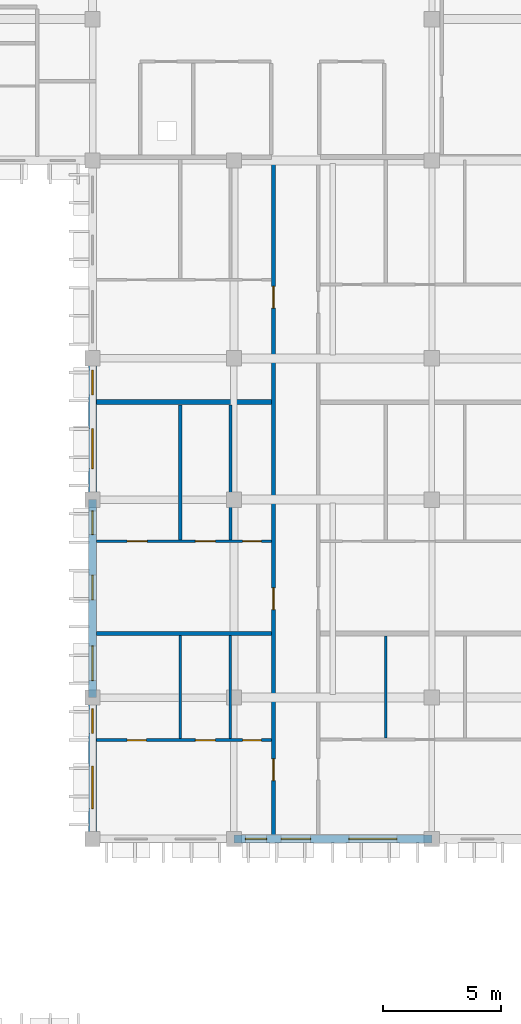
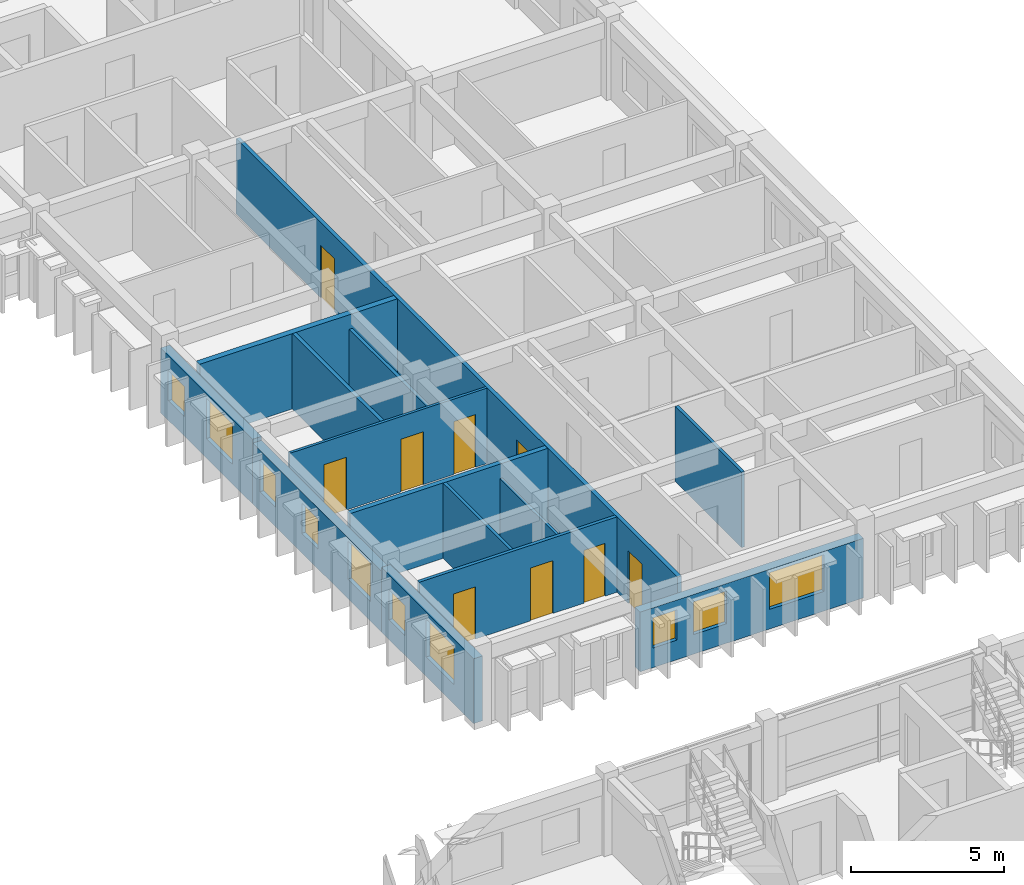
# One storey, part 35 of 70: 14 walls, 10 windows, 9 doors, 19 openings.
"""IFC4 building model written with IfcOpenShell, lengths in metres."""

from ifc_helpers import new_model, si_unit, direction, frame, frame_2d, origin, place, context, subcontext, project, spatial, rectangle, extrude, material, layer, layer_set, type_object, element, fill, save


model = new_model("IFC4")

# Units and contexts
model_context = context("Model", 3, precision=1e-05, world=origin(), true_north=direction((0.0, 1.0)))
body_context = subcontext(model_context, "Body", "Model", "MODEL_VIEW")
ifc_project = project(units=[si_unit("LENGTHUNIT", "METRE"), si_unit("AREAUNIT", "SQUARE_METRE"), si_unit("VOLUMEUNIT", "CUBIC_METRE"), si_unit("PLANEANGLEUNIT", "RADIAN"), si_unit("MASSUNIT", "GRAM", prefix="KILO"), si_unit("THERMODYNAMICTEMPERATUREUNIT", "KELVIN")], contexts=[model_context])

# Site, building, storey
site_placement = place(None, origin())
site = spatial("IfcSite", under=ifc_project, at=site_placement, CompositionType="ELEMENT")
building_placement = place(site_placement, origin())
building = spatial("IfcBuilding", under=site, at=building_placement, Name="Thalorik Housing Commons", CompositionType="ELEMENT")
storey_placement = place(building_placement, frame((0.0, 0.0, 14.699951171875)))
storey = spatial("IfcBuildingStorey", under=building, at=storey_placement, Name="L04", CompositionType="ELEMENT", Elevation=14.699951171875)

# Wall, openings, doors
ifc_material_1 = material(Name="Masonry fire-rated corridor wall", Category="masonry")
ifc_layer_1 = layer(ifc_material_1, 0.14990234375, Name="Masonry fire-rated corridor wall", Category="masonry")
ifc_layer_set_1 = layer_set([ifc_layer_1], Name="Masonry fire-rated corridor wall")
wall_type_1 = type_object("IfcWallType", Name="ARC-WAL-CORR-150", PredefinedType="PARTITIONING", material=ifc_layer_set_1)
wall_1_placement = place(storey_placement, frame((160.080078125, 80.569580078125, 0.0), z_axis=(0.0, 0.0, 1.0), x_axis=(0.0, 1.0, 0.0)))
wall_1 = element("IfcWall", 1, at=wall_1_placement, inside=storey, type_object=wall_type_1, Name="L04 Block B E Corridor Wall 1", PredefinedType="PARTITIONING", context=body_context, shape_type="SweptSolid", body=[
    extrude(rectangle(XDim=28.7705078125, YDim=0.14990234375, at=frame_2d((14.38525390625, 0.0))), origin(), (0.0, 0.0, 1.0), 3.0),
])
opening_1_placement = place(wall_1_placement, frame((2.309814453125, 0.0, 0.0)))
opening_1 = element("IfcOpeningElement", 2, at=opening_1_placement, cuts=wall_1, Name="Opening ID-1166", PredefinedType="OPENING", context=body_context, shape_type="SweptSolid", body=[
    extrude(rectangle(XDim=0.919921875, YDim=2.10009765625, at=frame_2d((0.4599609375, 1.050048828125))), frame((0.0, 0.0849609375, 0.0), z_axis=(0.0, -1.0, 0.0), x_axis=(1.0, 0.0, 0.0)), (0.0, 0.0, 1.0), 0.169921875),
])
opening_2_placement = place(wall_1_placement, frame((9.566162109375, 0.0, 0.0)))
opening_2 = element("IfcOpeningElement", 3, at=opening_2_placement, cuts=wall_1, Name="Opening ID-1167", PredefinedType="OPENING", context=body_context, shape_type="SweptSolid", body=[
    extrude(rectangle(XDim=0.919921875, YDim=2.10009765625, at=frame_2d((0.4599609375, 1.050048828125))), frame((0.0, 0.0849609375, 0.0), z_axis=(0.0, -1.0, 0.0), x_axis=(1.0, 0.0, 0.0)), (0.0, 0.0, 1.0), 0.169921875),
])
opening_3_placement = place(wall_1_placement, frame((22.360595703125, 0.0, 0.0)))
opening_3 = element("IfcOpeningElement", 4, at=opening_3_placement, cuts=wall_1, Name="Opening ID-1168", PredefinedType="OPENING", context=body_context, shape_type="SweptSolid", body=[
    extrude(rectangle(XDim=0.919921875, YDim=2.10009765625, at=frame_2d((0.4599609375, 1.050048828125))), frame((0.0, 0.0849609375, 0.0), z_axis=(0.0, -1.0, 0.0), x_axis=(1.0, 0.0, 0.0)), (0.0, 0.0, 1.0), 0.169921875),
])
ifc_material_2 = material(Name="Solid core hardwood timber", Category="wood")
door_type_1 = type_object("IfcDoorType", Name="ARC-DR-FD30-920", OperationType="NOTDEFINED", PredefinedType="DOOR", material=ifc_material_2)
door_1_placement = place(opening_1_placement, origin())
door_1 = element("IfcDoor", 5, at=door_1_placement, inside=storey, type_object=door_type_1, Name="L04 Flat BE-1A Entrance Door", OperationType="SINGLE_SWING_LEFT", OverallHeight=2.10009765625, OverallWidth=0.919921875, PredefinedType="DOOR", context=body_context, shape_type="SweptSolid", body=[
    extrude(rectangle(XDim=0.919921875, YDim=2.10009765625, at=frame_2d((0.4599609375, 1.050048828125))), frame((0.0, 0.02490234375, 0.0), z_axis=(0.0, -1.0, 0.0), x_axis=(1.0, 0.0, 0.0)), (0.0, 0.0, 1.0), 0.050048828125),
])
fill(opening_1, door_1)
door_2_placement = place(opening_2_placement, origin())
door_2 = element("IfcDoor", 6, at=door_2_placement, inside=storey, type_object=door_type_1, Name="L04 Flat BE-2A Entrance Door", OperationType="SINGLE_SWING_RIGHT", OverallHeight=2.10009765625, OverallWidth=0.919921875, PredefinedType="DOOR", context=body_context, shape_type="SweptSolid", body=[
    extrude(rectangle(XDim=0.919921875, YDim=2.10009765625, at=frame_2d((0.4599609375, 1.050048828125))), frame((0.0, 0.02490234375, 0.0), z_axis=(0.0, -1.0, 0.0), x_axis=(1.0, 0.0, 0.0)), (0.0, 0.0, 1.0), 0.050048828125),
])
fill(opening_2, door_2)
door_3_placement = place(opening_3_placement, origin())
door_3 = element("IfcDoor", 7, at=door_3_placement, inside=storey, type_object=door_type_1, Name="L04 Flat BE-3A Entrance Door", OperationType="SINGLE_SWING_LEFT", OverallHeight=2.10009765625, OverallWidth=0.919921875, PredefinedType="DOOR", context=body_context, shape_type="SweptSolid", body=[
    extrude(rectangle(XDim=0.919921875, YDim=2.10009765625, at=frame_2d((0.4599609375, 1.050048828125))), frame((0.0, 0.02490234375, 0.0), z_axis=(0.0, -1.0, 0.0), x_axis=(1.0, 0.0, 0.0)), (0.0, 0.0, 1.0), 0.050048828125),
])
fill(opening_3, door_3)

# Wall, openings, windows
ifc_material_3 = material(Name="White precast concrete C40/50", Category="concrete")
ifc_layer_2 = layer(ifc_material_3, 0.3349609375, Name="White precast concrete C40/50", Category="concrete")
ifc_layer_set_2 = layer_set([ifc_layer_2], Name="White precast concrete C40/50")
wall_type_2 = type_object("IfcWallType", Name="ARC-WAL-EXT-335", PredefinedType="STANDARD", material=ifc_layer_set_2)
wall_2_placement = place(storey_placement, frame((152.39990234375, 100.800048828125, 0.0), z_axis=(0.0, 0.0, 1.0), x_axis=(0.0, -1.0, 0.0)))
wall_2 = element("IfcWall", 8, at=wall_2_placement, inside=storey, type_object=wall_type_2, Name="L04 Exterior Wall WAL-EXT-L04-B-0549", PredefinedType="STANDARD", context=body_context, shape_type="SweptSolid", body=[
    extrude(rectangle(XDim=6.0, YDim=0.3349609375, at=frame_2d((3.0, 0.0))), origin(), (0.0, 0.0, 1.0), 2.574951171875),
])
opening_4_placement = place(wall_2_placement, frame((0.5, 0.0, 0.780029296875)))
opening_4 = element("IfcOpeningElement", 9, at=opening_4_placement, cuts=wall_2, Name="Opening W-44", PredefinedType="OPENING", context=body_context, shape_type="SweptSolid", body=[
    extrude(rectangle(XDim=1.050048828125, YDim=1.199951171875, at=frame_2d((0.52490234375, 0.60009765625))), frame((0.0, 0.177490234375, 0.0), z_axis=(0.0, -1.0, 0.0), x_axis=(1.0, 0.0, 0.0)), (0.0, 0.0, 1.0), 0.35498046875),
])
opening_5_placement = place(wall_2_placement, frame((2.985107421875, 0.0, 0.780029296875)))
opening_5 = element("IfcOpeningElement", 10, at=opening_5_placement, cuts=wall_2, Name="Opening W-16", PredefinedType="OPENING", context=body_context, shape_type="SweptSolid", body=[
    extrude(rectangle(XDim=1.699951171875, YDim=1.60009765625, at=frame_2d((0.85009765625, 0.800048828125))), frame((0.0, 0.177490234375, 0.0), z_axis=(0.0, -1.0, 0.0), x_axis=(1.0, 0.0, 0.0)), (0.0, 0.0, 1.0), 0.35498046875),
])
ifc_material_4 = material(Name="Anodised aluminium and solar-control low-E glass", Category="aluminium")
window_type_1 = type_object("IfcWindowType", Name="ARC-WIN-16", PartitioningType="DOUBLE_PANEL_VERTICAL", PredefinedType="WINDOW", material=ifc_material_4)
window_1_placement = place(opening_5_placement, origin())
window_1 = element("IfcWindow", 11, at=window_1_placement, inside=storey, type_object=window_type_1, Name="L04 Facade Window 995", OverallHeight=1.60009765625, OverallWidth=1.699951171875, PartitioningType="DOUBLE_PANEL_VERTICAL", PredefinedType="WINDOW", context=body_context, shape_type="SweptSolid", body=[
    extrude(rectangle(XDim=1.699951171875, YDim=1.60009765625, at=frame_2d((0.85009765625, 0.800048828125))), frame((0.0, 0.030029296875, 0.0), z_axis=(0.0, -1.0, 0.0), x_axis=(1.0, 0.0, 0.0)), (0.0, 0.0, 1.0), 0.06005859375),
])
fill(opening_5, window_1)
window_type_2 = type_object("IfcWindowType", Name="ARC-WIN-44", PartitioningType="SINGLE_PANEL", PredefinedType="WINDOW", material=ifc_material_4)
window_2_placement = place(opening_4_placement, origin())
window_2 = element("IfcWindow", 12, at=window_2_placement, inside=storey, type_object=window_type_2, Name="L04 Facade Window 994", OverallHeight=1.199951171875, OverallWidth=1.050048828125, PartitioningType="SINGLE_PANEL", PredefinedType="WINDOW", context=body_context, shape_type="SweptSolid", body=[
    extrude(rectangle(XDim=1.050048828125, YDim=1.199951171875, at=frame_2d((0.52490234375, 0.60009765625))), frame((0.0, 0.030029296875, 0.0), z_axis=(0.0, -1.0, 0.0), x_axis=(1.0, 0.0, 0.0)), (0.0, 0.0, 1.0), 0.06005859375),
])
fill(opening_4, window_2)

wall_3_placement = place(storey_placement, frame((152.39990234375, 94.800048828125, 0.0), z_axis=(0.0, 0.0, 1.0), x_axis=(0.0, -1.0, 0.0)))
wall_3 = element("IfcWall", 13, at=wall_3_placement, inside=storey, type_object=wall_type_2, Name="L04 Exterior Wall WAL-EXT-L04-B-0550", PredefinedType="STANDARD", context=body_context, shape_type="SweptSolid", body=[
    extrude(rectangle(XDim=8.400146484375, YDim=0.3349609375, at=frame_2d((4.2001953125, 0.0))), origin(), (0.0, 0.0, 1.0), 2.425048828125),
])
opening_6_placement = place(wall_3_placement, frame((0.47998046875, 0.0, 0.780029296875)))
opening_6 = element("IfcOpeningElement", 14, at=opening_6_placement, cuts=wall_3, Name="Opening W-02", PredefinedType="OPENING", context=body_context, shape_type="SweptSolid", body=[
    extrude(rectangle(XDim=1.0, YDim=1.25, at=frame_2d((0.5, 0.625))), frame((0.0, 0.177490234375, 0.0), z_axis=(0.0, -1.0, 0.0), x_axis=(1.0, 0.0, 0.0)), (0.0, 0.0, 1.0), 0.35498046875),
])
opening_7_placement = place(wall_3_placement, frame((3.199951171875, 0.0, 0.780029296875)))
opening_7 = element("IfcOpeningElement", 15, at=opening_7_placement, cuts=wall_3, Name="Opening W-44", PredefinedType="OPENING", context=body_context, shape_type="SweptSolid", body=[
    extrude(rectangle(XDim=1.050048828125, YDim=1.199951171875, at=frame_2d((0.52490234375, 0.60009765625))), frame((0.0, 0.177490234375, 0.0), z_axis=(0.0, -1.0, 0.0), x_axis=(1.0, 0.0, 0.0)), (0.0, 0.0, 1.0), 0.35498046875),
])
opening_8_placement = place(wall_3_placement, frame((6.205078125, 0.0, 0.780029296875)))
opening_8 = element("IfcOpeningElement", 16, at=opening_8_placement, cuts=wall_3, Name="Opening W-51", PredefinedType="OPENING", context=body_context, shape_type="SweptSolid", body=[
    extrude(rectangle(XDim=1.47998046875, YDim=1.52001953125, at=frame_2d((0.739990234375, 0.760009765625))), frame((0.0, 0.177490234375, 0.0), z_axis=(0.0, -1.0, 0.0), x_axis=(1.0, 0.0, 0.0)), (0.0, 0.0, 1.0), 0.35498046875),
])
window_type_3 = type_object("IfcWindowType", Name="ARC-WIN-02", PartitioningType="SINGLE_PANEL", PredefinedType="WINDOW", material=ifc_material_4)
window_3_placement = place(opening_6_placement, origin())
window_3 = element("IfcWindow", 17, at=window_3_placement, inside=storey, type_object=window_type_3, Name="L04 Facade Window 996", OverallHeight=1.25, OverallWidth=1.0, PartitioningType="SINGLE_PANEL", PredefinedType="WINDOW", context=body_context, shape_type="SweptSolid", body=[
    extrude(rectangle(XDim=1.0, YDim=1.25, at=frame_2d((0.5, 0.625))), frame((0.0, 0.030029296875, 0.0), z_axis=(0.0, -1.0, 0.0), x_axis=(1.0, 0.0, 0.0)), (0.0, 0.0, 1.0), 0.06005859375),
])
fill(opening_6, window_3)
window_4_placement = place(opening_7_placement, origin())
window_4 = element("IfcWindow", 18, at=window_4_placement, inside=storey, type_object=window_type_2, Name="L04 Facade Window 997", OverallHeight=1.199951171875, OverallWidth=1.050048828125, PartitioningType="SINGLE_PANEL", PredefinedType="WINDOW", context=body_context, shape_type="SweptSolid", body=[
    extrude(rectangle(XDim=1.050048828125, YDim=1.199951171875, at=frame_2d((0.52490234375, 0.60009765625))), frame((0.0, 0.030029296875, 0.0), z_axis=(0.0, -1.0, 0.0), x_axis=(1.0, 0.0, 0.0)), (0.0, 0.0, 1.0), 0.06005859375),
])
fill(opening_7, window_4)
window_type_4 = type_object("IfcWindowType", Name="ARC-WIN-51", PartitioningType="SINGLE_PANEL", PredefinedType="WINDOW", material=ifc_material_4)
window_5_placement = place(opening_8_placement, origin())
window_5 = element("IfcWindow", 19, at=window_5_placement, inside=storey, type_object=window_type_4, Name="L04 Facade Window 998", OverallHeight=1.52001953125, OverallWidth=1.47998046875, PartitioningType="SINGLE_PANEL", PredefinedType="WINDOW", context=body_context, shape_type="SweptSolid", body=[
    extrude(rectangle(XDim=1.47998046875, YDim=1.52001953125, at=frame_2d((0.739990234375, 0.760009765625))), frame((0.0, 0.030029296875, 0.0), z_axis=(0.0, -1.0, 0.0), x_axis=(1.0, 0.0, 0.0)), (0.0, 0.0, 1.0), 0.06005859375),
])
fill(opening_8, window_5)

wall_4_placement = place(storey_placement, frame((152.39990234375, 86.39990234375, 0.0), z_axis=(0.0, 0.0, 1.0), x_axis=(0.0, -1.0, 0.0)))
wall_4 = element("IfcWall", 20, at=wall_4_placement, inside=storey, type_object=wall_type_2, Name="L04 Exterior Wall WAL-EXT-L04-B-0551", PredefinedType="STANDARD", context=body_context, shape_type="SweptSolid", body=[
    extrude(rectangle(XDim=6.0, YDim=0.3349609375, at=frame_2d((3.0, 0.0))), origin(), (0.0, 0.0, 1.0), 2.574951171875),
])
opening_9_placement = place(wall_4_placement, frame((0.47509765625, 0.0, 0.780029296875)))
opening_9 = element("IfcOpeningElement", 21, at=opening_9_placement, cuts=wall_4, Name="Opening W-44", PredefinedType="OPENING", context=body_context, shape_type="SweptSolid", body=[
    extrude(rectangle(XDim=1.050048828125, YDim=1.199951171875, at=frame_2d((0.52490234375, 0.60009765625))), frame((0.0, 0.177490234375, 0.0), z_axis=(0.0, -1.0, 0.0), x_axis=(1.0, 0.0, 0.0)), (0.0, 0.0, 1.0), 0.35498046875),
])
opening_10_placement = place(wall_4_placement, frame((2.909912109375, 0.0, 0.780029296875)))
opening_10 = element("IfcOpeningElement", 22, at=opening_10_placement, cuts=wall_4, Name="Opening W-18", PredefinedType="OPENING", context=body_context, shape_type="SweptSolid", body=[
    extrude(rectangle(XDim=1.800048828125, YDim=1.5, at=frame_2d((0.89990234375, 0.75))), frame((0.0, 0.177490234375, 0.0), z_axis=(0.0, -1.0, 0.0), x_axis=(1.0, 0.0, 0.0)), (0.0, 0.0, 1.0), 0.35498046875),
])
window_type_5 = type_object("IfcWindowType", Name="ARC-WIN-18", PartitioningType="DOUBLE_PANEL_VERTICAL", PredefinedType="WINDOW", material=ifc_material_4)
window_6_placement = place(opening_10_placement, origin())
window_6 = element("IfcWindow", 23, at=window_6_placement, inside=storey, type_object=window_type_5, Name="L04 Facade Window 1000", OverallHeight=1.5, OverallWidth=1.800048828125, PartitioningType="DOUBLE_PANEL_VERTICAL", PredefinedType="WINDOW", context=body_context, shape_type="SweptSolid", body=[
    extrude(rectangle(XDim=1.800048828125, YDim=1.5, at=frame_2d((0.89990234375, 0.75))), frame((0.0, 0.030029296875, 0.0), z_axis=(0.0, -1.0, 0.0), x_axis=(1.0, 0.0, 0.0)), (0.0, 0.0, 1.0), 0.06005859375),
])
fill(opening_10, window_6)
window_7_placement = place(opening_9_placement, origin())
window_7 = element("IfcWindow", 24, at=window_7_placement, inside=storey, type_object=window_type_2, Name="L04 Facade Window 999", OverallHeight=1.199951171875, OverallWidth=1.050048828125, PartitioningType="SINGLE_PANEL", PredefinedType="WINDOW", context=body_context, shape_type="SweptSolid", body=[
    extrude(rectangle(XDim=1.050048828125, YDim=1.199951171875, at=frame_2d((0.52490234375, 0.60009765625))), frame((0.0, 0.030029296875, 0.0), z_axis=(0.0, -1.0, 0.0), x_axis=(1.0, 0.0, 0.0)), (0.0, 0.0, 1.0), 0.06005859375),
])
fill(opening_9, window_7)

wall_5_placement = place(storey_placement, frame((158.39990234375, 80.39990234375, 0.0), z_axis=(0.0, 0.0, 1.0), x_axis=(1.0, 0.0, 0.0)))
wall_5 = element("IfcWall", 25, at=wall_5_placement, inside=storey, type_object=wall_type_2, Name="L04 Exterior Wall WAL-EXT-L04-B-0553", PredefinedType="STANDARD", context=body_context, shape_type="SweptSolid", body=[
    extrude(rectangle(XDim=8.400146484375, YDim=0.3349609375, at=frame_2d((4.2001953125, 0.0))), origin(), (0.0, 0.0, 1.0), 2.375),
])
opening_11_placement = place(wall_5_placement, frame((0.485107421875, 0.0, 0.780029296875)))
opening_11 = element("IfcOpeningElement", 26, at=opening_11_placement, cuts=wall_5, Name="Opening W-01", PredefinedType="OPENING", context=body_context, shape_type="SweptSolid", body=[
    extrude(rectangle(XDim=0.89990234375, YDim=1.199951171875, at=frame_2d((0.449951171875, 0.60009765625))), frame((0.0, 0.177490234375, 0.0), z_axis=(0.0, -1.0, 0.0), x_axis=(1.0, 0.0, 0.0)), (0.0, 0.0, 1.0), 0.35498046875),
])
opening_12_placement = place(wall_5_placement, frame((2.0048828125, 0.0, 0.780029296875)))
opening_12 = element("IfcOpeningElement", 27, at=opening_12_placement, cuts=wall_5, Name="Opening W-46", PredefinedType="OPENING", context=body_context, shape_type="SweptSolid", body=[
    extrude(rectangle(XDim=1.25, YDim=1.300048828125, at=frame_2d((0.625, 0.64990234375))), frame((0.0, 0.177490234375, 0.0), z_axis=(0.0, -1.0, 0.0), x_axis=(1.0, 0.0, 0.0)), (0.0, 0.0, 1.0), 0.35498046875),
])
opening_13_placement = place(wall_5_placement, frame((4.875, 0.0, 0.780029296875)))
opening_13 = element("IfcOpeningElement", 28, at=opening_13_placement, cuts=wall_5, Name="Opening W-62", PredefinedType="OPENING", context=body_context, shape_type="SweptSolid", body=[
    extrude(rectangle(XDim=2.0400390625, YDim=1.4599609375, at=frame_2d((1.02001953125, 0.72998046875))), frame((0.0, 0.177490234375, 0.0), z_axis=(0.0, -1.0, 0.0), x_axis=(1.0, 0.0, 0.0)), (0.0, 0.0, 1.0), 0.35498046875),
])
window_type_6 = type_object("IfcWindowType", Name="ARC-WIN-01", PartitioningType="SINGLE_PANEL", PredefinedType="WINDOW", material=ifc_material_4)
window_8_placement = place(opening_11_placement, origin())
window_8 = element("IfcWindow", 29, at=window_8_placement, inside=storey, type_object=window_type_6, Name="L04 Facade Window 1003", OverallHeight=1.199951171875, OverallWidth=0.89990234375, PartitioningType="SINGLE_PANEL", PredefinedType="WINDOW", context=body_context, shape_type="SweptSolid", body=[
    extrude(rectangle(XDim=0.89990234375, YDim=1.199951171875, at=frame_2d((0.449951171875, 0.60009765625))), frame((0.0, 0.030029296875, 0.0), z_axis=(0.0, -1.0, 0.0), x_axis=(1.0, 0.0, 0.0)), (0.0, 0.0, 1.0), 0.06005859375),
])
fill(opening_11, window_8)
window_type_7 = type_object("IfcWindowType", Name="ARC-WIN-46", PartitioningType="SINGLE_PANEL", PredefinedType="WINDOW", material=ifc_material_4)
window_9_placement = place(opening_12_placement, origin())
window_9 = element("IfcWindow", 30, at=window_9_placement, inside=storey, type_object=window_type_7, Name="L04 Facade Window 1004", OverallHeight=1.300048828125, OverallWidth=1.25, PartitioningType="SINGLE_PANEL", PredefinedType="WINDOW", context=body_context, shape_type="SweptSolid", body=[
    extrude(rectangle(XDim=1.25, YDim=1.300048828125, at=frame_2d((0.625, 0.64990234375))), frame((0.0, 0.030029296875, 0.0), z_axis=(0.0, -1.0, 0.0), x_axis=(1.0, 0.0, 0.0)), (0.0, 0.0, 1.0), 0.06005859375),
])
fill(opening_12, window_9)
window_type_8 = type_object("IfcWindowType", Name="ARC-WIN-62", PartitioningType="DOUBLE_PANEL_VERTICAL", PredefinedType="WINDOW", material=ifc_material_4)
window_10_placement = place(opening_13_placement, origin())
window_10 = element("IfcWindow", 31, at=window_10_placement, inside=storey, type_object=window_type_8, Name="L04 Facade Window 1005", OverallHeight=1.4599609375, OverallWidth=2.0400390625, PartitioningType="DOUBLE_PANEL_VERTICAL", PredefinedType="WINDOW", context=body_context, shape_type="SweptSolid", body=[
    extrude(rectangle(XDim=2.0400390625, YDim=1.4599609375, at=frame_2d((1.02001953125, 0.72998046875))), frame((0.0, 0.030029296875, 0.0), z_axis=(0.0, -1.0, 0.0), x_axis=(1.0, 0.0, 0.0)), (0.0, 0.0, 1.0), 0.06005859375),
])
fill(opening_13, window_10)

# Wall
ifc_material_5 = material(Name="Gypsum light stud partition", Category="masonry")
ifc_layer_3 = layer(ifc_material_5, 0.10009765625, Name="Gypsum light stud partition", Category="masonry")
ifc_layer_set_3 = layer_set([ifc_layer_3], Name="Gypsum light stud partition")
wall_type_3 = type_object("IfcWallType", Name="ARC-WAL-PART-100", PredefinedType="PARTITIONING", material=ifc_layer_set_3)
wall_6_placement = place(storey_placement, frame((158.251220703125, 84.654541015625, 0.0), z_axis=(0.0, 0.0, 1.0), x_axis=(0.0, 1.0, 0.0)))
element("IfcWall", 32, at=wall_6_placement, inside=storey, type_object=wall_type_3, Name="L04 Unit 1 Wet Wall", PredefinedType="PARTITIONING", context=body_context, shape_type="SweptSolid", body=[
    extrude(rectangle(XDim=4.370849609375, YDim=0.10009765625, at=frame_2d((2.185546875, 0.0))), origin(), (0.0, 0.0, 1.0), 2.425048828125),
])

# Wall, openings, doors
wall_7_placement = place(storey_placement, frame((152.569580078125, 93.030029296875, 0.0), z_axis=(0.0, 0.0, 1.0), x_axis=(1.0, 0.0, 0.0)))
wall_7 = element("IfcWall", 33, at=wall_7_placement, inside=storey, type_object=wall_type_3, Name="L04 Unit 2 Spine Partition", PredefinedType="PARTITIONING", context=body_context, shape_type="SweptSolid", body=[
    extrude(rectangle(XDim=7.433349609375, YDim=0.10009765625, at=frame_2d((3.716796875, 0.0))), origin(), (0.0, 0.0, 1.0), 3.0),
])
opening_14_placement = place(wall_7_placement, frame((1.294189453125, 0.0, 0.0)))
opening_14 = element("IfcOpeningElement", 34, at=opening_14_placement, cuts=wall_7, Name="Opening ID-1154", PredefinedType="OPENING", context=body_context, shape_type="SweptSolid", body=[
    extrude(rectangle(XDim=0.85009765625, YDim=2.10009765625, at=frame_2d((0.425048828125, 1.050048828125))), frame((0.0, 0.06005859375, 0.0), z_axis=(0.0, -1.0, 0.0), x_axis=(1.0, 0.0, 0.0)), (0.0, 0.0, 1.0), 0.1201171875),
])
opening_15_placement = place(wall_7_placement, frame((4.18994140625, 0.0, 0.0)))
opening_15 = element("IfcOpeningElement", 35, at=opening_15_placement, cuts=wall_7, Name="Opening ID-1155", PredefinedType="OPENING", context=body_context, shape_type="SweptSolid", body=[
    extrude(rectangle(XDim=0.85009765625, YDim=2.10009765625, at=frame_2d((0.425048828125, 1.050048828125))), frame((0.0, 0.06005859375, 0.0), z_axis=(0.0, -1.0, 0.0), x_axis=(1.0, 0.0, 0.0)), (0.0, 0.0, 1.0), 0.1201171875),
])
opening_16_placement = place(wall_7_placement, frame((6.196044921875, 0.0, 0.0)))
opening_16 = element("IfcOpeningElement", 36, at=opening_16_placement, cuts=wall_7, Name="Opening ID-1156", PredefinedType="OPENING", context=body_context, shape_type="SweptSolid", body=[
    extrude(rectangle(XDim=0.800048828125, YDim=2.10009765625, at=frame_2d((0.39990234375, 1.050048828125))), frame((0.0, 0.06005859375, 0.0), z_axis=(0.0, -1.0, 0.0), x_axis=(1.0, 0.0, 0.0)), (0.0, 0.0, 1.0), 0.1201171875),
])
ifc_material_6 = material(Name="Moisture-resistant timber", Category="wood")
door_type_2 = type_object("IfcDoorType", Name="ARC-DR-INT-800", OperationType="NOTDEFINED", PredefinedType="DOOR", material=ifc_material_6)
door_4_placement = place(opening_16_placement, origin())
door_4 = element("IfcDoor", 37, at=door_4_placement, inside=storey, type_object=door_type_2, Name="L04 Accessible Bathroom Door", OperationType="SINGLE_SWING_LEFT", OverallHeight=2.10009765625, OverallWidth=0.800048828125, PredefinedType="DOOR", context=body_context, shape_type="SweptSolid", body=[
    extrude(rectangle(XDim=0.800048828125, YDim=2.10009765625, at=frame_2d((0.39990234375, 1.050048828125))), frame((0.0, 0.02490234375, 0.0), z_axis=(0.0, -1.0, 0.0), x_axis=(1.0, 0.0, 0.0)), (0.0, 0.0, 1.0), 0.050048828125),
])
fill(opening_16, door_4)
ifc_material_7 = material(Name="Engineered oak timber", Category="wood")
door_type_3 = type_object("IfcDoorType", Name="ARC-DR-INT-850", OperationType="NOTDEFINED", PredefinedType="DOOR", material=ifc_material_7)
door_5_placement = place(opening_14_placement, origin())
door_5 = element("IfcDoor", 38, at=door_5_placement, inside=storey, type_object=door_type_3, Name="L04 Double Bedroom Door", OperationType="SINGLE_SWING_LEFT", OverallHeight=2.10009765625, OverallWidth=0.85009765625, PredefinedType="DOOR", context=body_context, shape_type="SweptSolid", body=[
    extrude(rectangle(XDim=0.85009765625, YDim=2.10009765625, at=frame_2d((0.425048828125, 1.050048828125))), frame((0.0, 0.02490234375, 0.0), z_axis=(0.0, -1.0, 0.0), x_axis=(1.0, 0.0, 0.0)), (0.0, 0.0, 1.0), 0.050048828125),
])
fill(opening_14, door_5)
door_6_placement = place(opening_15_placement, origin())
door_6 = element("IfcDoor", 39, at=door_6_placement, inside=storey, type_object=door_type_3, Name="L04 Eat-In Kitchen Door", OperationType="SINGLE_SWING_RIGHT", OverallHeight=2.10009765625, OverallWidth=0.85009765625, PredefinedType="DOOR", context=body_context, shape_type="SweptSolid", body=[
    extrude(rectangle(XDim=0.85009765625, YDim=2.10009765625, at=frame_2d((0.425048828125, 1.050048828125))), frame((0.0, 0.02490234375, 0.0), z_axis=(0.0, -1.0, 0.0), x_axis=(1.0, 0.0, 0.0)), (0.0, 0.0, 1.0), 0.050048828125),
])
fill(opening_15, door_6)

# Walls
ifc_material_8 = material(Name="Gypsum moisture-resistant partition", Category="masonry")
ifc_layer_4 = layer(ifc_material_8, 0.114990234375, Name="Gypsum moisture-resistant partition", Category="masonry")
ifc_layer_set_4 = layer_set([ifc_layer_4], Name="Gypsum moisture-resistant partition")
wall_type_4 = type_object("IfcWallType", Name="ARC-WAL-PART-115", PredefinedType="PARTITIONING", material=ifc_layer_set_4)
wall_8_placement = place(storey_placement, frame((156.11767578125, 84.654541015625, 0.0), z_axis=(0.0, 0.0, 1.0), x_axis=(0.0, 1.0, 0.0)))
element("IfcWall", 40, at=wall_8_placement, inside=storey, type_object=wall_type_4, Name="L04 Unit 1 Bedroom Partition", PredefinedType="PARTITIONING", context=body_context, shape_type="SweptSolid", body=[
    extrude(rectangle(XDim=4.370849609375, YDim=0.114990234375, at=frame_2d((2.185546875, 0.0))), origin(), (0.0, 0.0, 1.0), 3.0),
])
wall_9_placement = place(storey_placement, frame((164.850341796875, 84.688720703125, 0.0), z_axis=(0.0, 0.0, 1.0), x_axis=(0.0, 1.0, 0.0)))
element("IfcWall", 41, at=wall_9_placement, inside=storey, type_object=wall_type_4, Name="L04 Unit 1B Wet Wall", PredefinedType="PARTITIONING", context=body_context, shape_type="SweptSolid", body=[
    extrude(rectangle(XDim=4.329345703125, YDim=0.114990234375, at=frame_2d((2.16455078125, 0.0))), origin(), (0.0, 0.0, 1.0), 3.0),
])

# Wall, openings, doors
ifc_material_9 = material(Name="Gypsum acoustic stud partition", Category="masonry")
ifc_layer_5 = layer(ifc_material_9, 0.125, Name="Gypsum acoustic stud partition", Category="masonry")
ifc_layer_set_5 = layer_set([ifc_layer_5], Name="Gypsum acoustic stud partition")
wall_type_5 = type_object("IfcWallType", Name="ARC-WAL-PART-125", PredefinedType="PARTITIONING", material=ifc_layer_set_5)
wall_10_placement = place(storey_placement, frame((152.569580078125, 84.590087890625, 0.0), z_axis=(0.0, 0.0, 1.0), x_axis=(1.0, 0.0, 0.0)))
wall_10 = element("IfcWall", 42, at=wall_10_placement, inside=storey, type_object=wall_type_5, Name="L04 Unit 1 Spine Partition", PredefinedType="PARTITIONING", context=body_context, shape_type="SweptSolid", body=[
    extrude(rectangle(XDim=7.433349609375, YDim=0.125, at=frame_2d((3.716796875, 0.0))), origin(), (0.0, 0.0, 1.0), 3.0),
])
opening_17_placement = place(wall_10_placement, frame((1.294189453125, 0.0, 0.0)))
opening_17 = element("IfcOpeningElement", 43, at=opening_17_placement, cuts=wall_10, Name="Opening ID-1148", PredefinedType="OPENING", context=body_context, shape_type="SweptSolid", body=[
    extrude(rectangle(XDim=0.820068359375, YDim=2.080078125, at=frame_2d((0.41015625, 1.0400390625))), frame((0.0, 0.072509765625, 0.0), z_axis=(0.0, -1.0, 0.0), x_axis=(1.0, 0.0, 0.0)), (0.0, 0.0, 1.0), 0.14501953125),
])
opening_18_placement = place(wall_10_placement, frame((4.18994140625, 0.0, 0.0)))
opening_18 = element("IfcOpeningElement", 44, at=opening_18_placement, cuts=wall_10, Name="Opening ID-1149", PredefinedType="OPENING", context=body_context, shape_type="SweptSolid", body=[
    extrude(rectangle(XDim=0.85009765625, YDim=2.10009765625, at=frame_2d((0.425048828125, 1.050048828125))), frame((0.0, 0.072509765625, 0.0), z_axis=(0.0, -1.0, 0.0), x_axis=(1.0, 0.0, 0.0)), (0.0, 0.0, 1.0), 0.14501953125),
])
opening_19_placement = place(wall_10_placement, frame((6.196044921875, 0.0, 0.0)))
opening_19 = element("IfcOpeningElement", 45, at=opening_19_placement, cuts=wall_10, Name="Opening ID-1150", PredefinedType="OPENING", context=body_context, shape_type="SweptSolid", body=[
    extrude(rectangle(XDim=0.800048828125, YDim=2.10009765625, at=frame_2d((0.39990234375, 1.050048828125))), frame((0.0, 0.072509765625, 0.0), z_axis=(0.0, -1.0, 0.0), x_axis=(1.0, 0.0, 0.0)), (0.0, 0.0, 1.0), 0.14501953125),
])
door_7_placement = place(opening_19_placement, origin())
door_7 = element("IfcDoor", 46, at=door_7_placement, inside=storey, type_object=door_type_2, Name="L04 Flat Bathroom Door", OperationType="SINGLE_SWING_LEFT", OverallHeight=2.10009765625, OverallWidth=0.800048828125, PredefinedType="DOOR", context=body_context, shape_type="SweptSolid", body=[
    extrude(rectangle(XDim=0.800048828125, YDim=2.10009765625, at=frame_2d((0.39990234375, 1.050048828125))), frame((0.0, 0.02490234375, 0.0), z_axis=(0.0, -1.0, 0.0), x_axis=(1.0, 0.0, 0.0)), (0.0, 0.0, 1.0), 0.050048828125),
])
fill(opening_19, door_7)
door_type_4 = type_object("IfcDoorType", Name="ARC-DR-INT-820", OperationType="NOTDEFINED", PredefinedType="DOOR", material=ifc_material_7)
door_8_placement = place(opening_17_placement, origin())
door_8 = element("IfcDoor", 47, at=door_8_placement, inside=storey, type_object=door_type_4, Name="L04 Master Bedroom Door", OperationType="SINGLE_SWING_LEFT", OverallHeight=2.080078125, OverallWidth=0.820068359375, PredefinedType="DOOR", context=body_context, shape_type="SweptSolid", body=[
    extrude(rectangle(XDim=0.820068359375, YDim=2.080078125, at=frame_2d((0.41015625, 1.0400390625))), frame((0.0, 0.02490234375, 0.0), z_axis=(0.0, -1.0, 0.0), x_axis=(1.0, 0.0, 0.0)), (0.0, 0.0, 1.0), 0.050048828125),
])
fill(opening_17, door_8)
door_9_placement = place(opening_18_placement, origin())
door_9 = element("IfcDoor", 48, at=door_9_placement, inside=storey, type_object=door_type_3, Name="L04 Eat-In Kitchen Door", OperationType="SINGLE_SWING_RIGHT", OverallHeight=2.10009765625, OverallWidth=0.85009765625, PredefinedType="DOOR", context=body_context, shape_type="SweptSolid", body=[
    extrude(rectangle(XDim=0.85009765625, YDim=2.10009765625, at=frame_2d((0.425048828125, 1.050048828125))), frame((0.0, 0.02490234375, 0.0), z_axis=(0.0, -1.0, 0.0), x_axis=(1.0, 0.0, 0.0)), (0.0, 0.0, 1.0), 0.050048828125),
])
fill(opening_18, door_9)

# Walls
wall_11_placement = place(storey_placement, frame((158.251220703125, 93.08203125, 0.0), z_axis=(0.0, 0.0, 1.0), x_axis=(0.0, 1.0, 0.0)))
element("IfcWall", 49, at=wall_11_placement, inside=storey, type_object=wall_type_5, Name="L04 Unit 2 Wet Wall", PredefinedType="PARTITIONING", context=body_context, shape_type="SweptSolid", body=[
    extrude(rectangle(XDim=5.745849609375, YDim=0.125, at=frame_2d((2.873046875, 0.0))), origin(), (0.0, 0.0, 1.0), 2.425048828125),
])
ifc_material_10 = material(Name="Ceramic masonry partition wall", Category="masonry")
ifc_layer_6 = layer(ifc_material_10, 0.139892578125, Name="Ceramic masonry partition wall", Category="masonry")
ifc_layer_set_6 = layer_set([ifc_layer_6], Name="Ceramic masonry partition wall")
wall_type_6 = type_object("IfcWallType", Name="ARC-WAL-PART-140", PredefinedType="PARTITIONING", material=ifc_layer_set_6)
wall_12_placement = place(storey_placement, frame((156.11767578125, 93.08203125, 0.0), z_axis=(0.0, 0.0, 1.0), x_axis=(0.0, 1.0, 0.0)))
element("IfcWall", 50, at=wall_12_placement, inside=storey, type_object=wall_type_6, Name="L04 Unit 2 Bedroom Partition", PredefinedType="PARTITIONING", context=body_context, shape_type="SweptSolid", body=[
    extrude(rectangle(XDim=5.745849609375, YDim=0.139892578125, at=frame_2d((2.873046875, 0.0))), origin(), (0.0, 0.0, 1.0), 3.0),
])
ifc_material_11 = material(Name="Masonry acoustic blockwork wall", Category="masonry")
ifc_layer_7 = layer(ifc_material_11, 0.18505859375, Name="Masonry acoustic blockwork wall", Category="masonry")
ifc_layer_set_7 = layer_set([ifc_layer_7], Name="Masonry acoustic blockwork wall")
wall_type_7 = type_object("IfcWallType", Name="ARC-WAL-PARTY-185", PredefinedType="PARTITIONING", material=ifc_layer_set_7)
wall_13_placement = place(storey_placement, frame((152.569580078125, 89.1201171875, 0.0), z_axis=(0.0, 0.0, 1.0), x_axis=(1.0, 0.0, 0.0)))
element("IfcWall", 51, at=wall_13_placement, inside=storey, type_object=wall_type_7, Name="L04 Inter-Tenancy Wall 1A", PredefinedType="PARTITIONING", context=body_context, shape_type="SweptSolid", body=[
    extrude(rectangle(XDim=7.433349609375, YDim=0.18505859375, at=frame_2d((3.716796875, 0.0))), origin(), (0.0, 0.0, 1.0), 3.0),
])
ifc_material_12 = material(Name="Precast concrete C40/50 acoustic wall", Category="concrete")
ifc_layer_8 = layer(ifc_material_12, 0.219970703125, Name="Precast concrete C40/50 acoustic wall", Category="concrete")
ifc_layer_set_8 = layer_set([ifc_layer_8], Name="Precast concrete C40/50 acoustic wall")
wall_type_8 = type_object("IfcWallType", Name="ARC-WAL-PARTY-220", PredefinedType="PARTITIONING", material=ifc_layer_set_8)
wall_14_placement = place(storey_placement, frame((152.569580078125, 98.93994140625, 0.0), z_axis=(0.0, 0.0, 1.0), x_axis=(1.0, 0.0, 0.0)))
element("IfcWall", 52, at=wall_14_placement, inside=storey, type_object=wall_type_8, Name="L04 Inter-Tenancy Wall 2A", PredefinedType="PARTITIONING", context=body_context, shape_type="SweptSolid", body=[
    extrude(rectangle(XDim=7.433349609375, YDim=0.219970703125, at=frame_2d((3.716796875, 0.0))), origin(), (0.0, 0.0, 1.0), 3.0),
])

save(model, "model.ifc")
